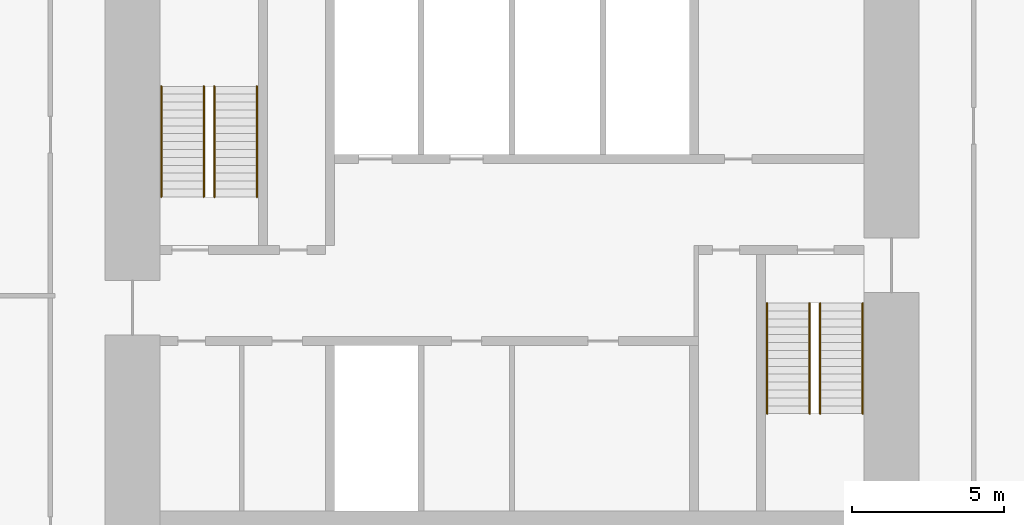
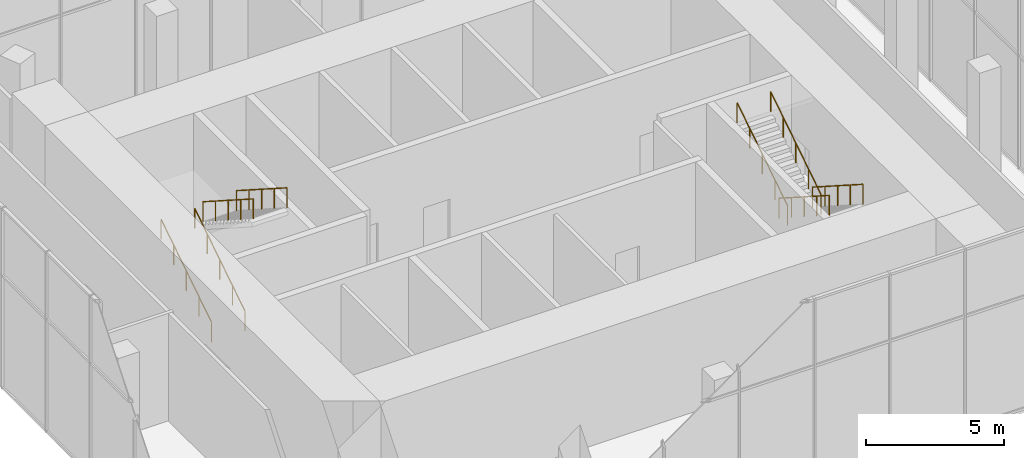
# One storey, part 9 of 9: 8 railings.
"""IFC4 building model written with IfcOpenShell, lengths in metres."""

from ifc_helpers import new_model, si_unit, direction, frame, origin, origin_2d, place, context, subcontext, project, spatial, circle, extrude, material, type_object, element, save


model = new_model("IFC4")

# Units and contexts
model_context = context("Model", 3, precision=1e-05, world=origin(), true_north=direction((0.0, 1.0)))
body_context = subcontext(model_context, "Body", "Model", "MODEL_VIEW")
ifc_project = project(units=[si_unit("LENGTHUNIT", "METRE"), si_unit("AREAUNIT", "SQUARE_METRE"), si_unit("VOLUMEUNIT", "CUBIC_METRE"), si_unit("PLANEANGLEUNIT", "RADIAN"), si_unit("MASSUNIT", "GRAM", prefix="KILO")], contexts=[model_context])

# Site, building, storey
site_placement = place(None, origin())
site = spatial("IfcSite", under=ifc_project, at=site_placement, CompositionType="ELEMENT")
building_placement = place(site_placement, origin())
building = spatial("IfcBuilding", under=site, at=building_placement, Name="Highveld Stack Headquarters", CompositionType="ELEMENT")
storey_placement = place(building_placement, frame((0.0, 0.0, 300.699951171875)))
storey = spatial("IfcBuildingStorey", under=building, at=storey_placement, Name="L74", CompositionType="ELEMENT", Elevation=300.699951171875)

# Railings
ifc_material = material(Name="Stainless steel handrail", Category="steel")
railing_type = type_object("IfcRailingType", Name="STAIR HANDRAIL HR1 900", PredefinedType="HANDRAIL", material=ifc_material)
for number, where, name in (
    (1, (-5.550048828125, 4.75, 0.166748046875), "Handrail S1 L74 flight 1"),
    (2, (-4.14990234375, 4.75, 0.166748046875), "Handrail S1 L74 flight 1"),
):
    element("IfcRailing", number, at=place(storey_placement, frame(where)), inside=storey, type_object=railing_type, Name=name, PredefinedType="HANDRAIL", context=body_context, shape_type="SweptSolid", body=[
        extrude(circle(Radius=0.02392578125, at=origin_2d()), frame((0.0, 0.0, 0.8759765625), z_axis=(0.0, 0.841880454617, 0.539664062296), x_axis=(-1.0, 0.0, 0.0)), (0.0, 0.0, 1.0), 4.323486328125),
        extrude(circle(Radius=0.02099609375, at=origin_2d()), origin(), (0.0, 0.0, 1.0), 0.851806640625),
        extrude(circle(Radius=0.02099609375, at=origin_2d()), frame((0.0, 0.909912109375, 0.583251953125)), (0.0, 0.0, 1.0), 0.851806640625),
        extrude(circle(Radius=0.02099609375, at=origin_2d()), frame((0.0, 1.81982421875, 1.16650390625)), (0.0, 0.0, 1.0), 0.851806640625),
        extrude(circle(Radius=0.02099609375, at=origin_2d()), frame((0.0, 2.72998046875, 1.75)), (0.0, 0.0, 1.0), 0.851806640625),
        extrude(circle(Radius=0.02099609375, at=origin_2d()), frame((0.0, 3.639892578125, 2.333251953125)), (0.0, 0.0, 1.0), 0.851806640625),
    ])
for number, where, name in (
    (3, (-3.800048828125, 8.389892578125, 2.666748046875), "Handrail S1 L74 flight 2"),
    (4, (-2.39990234375, 8.389892578125, 2.666748046875), "Handrail S1 L74 flight 2"),
    (5, (16.14990234375, 1.25, 0.166748046875), "Handrail S2 L74 flight 1"),
    (6, (17.550048828125, 1.25, 0.166748046875), "Handrail S2 L74 flight 1"),
):
    element("IfcRailing", number, at=place(storey_placement, frame(where)), inside=storey, type_object=railing_type, Name=name, PredefinedType="HANDRAIL", context=body_context, shape_type="SweptSolid", body=[
        extrude(circle(Radius=0.02392578125, at=origin_2d()), frame((0.0, 0.0, 0.8759765625), z_axis=(0.0, -0.841880454617, 0.539664062296), x_axis=(1.0, 0.0, 0.0)), (0.0, 0.0, 1.0), 4.323486328125),
        extrude(circle(Radius=0.02099609375, at=origin_2d()), origin(), (0.0, 0.0, 1.0), 0.851806640625),
        extrude(circle(Radius=0.02099609375, at=origin_2d()), frame((0.0, -0.909912109375, 0.583251953125)), (0.0, 0.0, 1.0), 0.851806640625),
        extrude(circle(Radius=0.02099609375, at=origin_2d()), frame((0.0, -1.81982421875, 1.16650390625)), (0.0, 0.0, 1.0), 0.851806640625),
        extrude(circle(Radius=0.02099609375, at=origin_2d()), frame((0.0, -2.72998046875, 1.75)), (0.0, 0.0, 1.0), 0.851806640625),
        extrude(circle(Radius=0.02099609375, at=origin_2d()), frame((0.0, -3.639892578125, 2.333251953125)), (0.0, 0.0, 1.0), 0.851806640625),
    ])
for number, where, name in (
    (7, (14.39990234375, -2.389892578125, 2.666748046875), "Handrail S2 L74 flight 2"),
    (8, (15.800048828125, -2.389892578125, 2.666748046875), "Handrail S2 L74 flight 2"),
):
    element("IfcRailing", number, at=place(storey_placement, frame(where)), inside=storey, type_object=railing_type, Name=name, PredefinedType="HANDRAIL", context=body_context, shape_type="SweptSolid", body=[
        extrude(circle(Radius=0.02392578125, at=origin_2d()), frame((0.0, 0.0, 0.8759765625), z_axis=(0.0, 0.841880454617, 0.539664062296), x_axis=(-1.0, 0.0, 0.0)), (0.0, 0.0, 1.0), 4.323486328125),
        extrude(circle(Radius=0.02099609375, at=origin_2d()), origin(), (0.0, 0.0, 1.0), 0.851806640625),
        extrude(circle(Radius=0.02099609375, at=origin_2d()), frame((0.0, 0.909912109375, 0.583251953125)), (0.0, 0.0, 1.0), 0.851806640625),
        extrude(circle(Radius=0.02099609375, at=origin_2d()), frame((0.0, 1.81982421875, 1.16650390625)), (0.0, 0.0, 1.0), 0.851806640625),
        extrude(circle(Radius=0.02099609375, at=origin_2d()), frame((0.0, 2.72998046875, 1.75)), (0.0, 0.0, 1.0), 0.851806640625),
        extrude(circle(Radius=0.02099609375, at=origin_2d()), frame((0.0, 3.639892578125, 2.333251953125)), (0.0, 0.0, 1.0), 0.851806640625),
    ])

save(model, "model.ifc")
